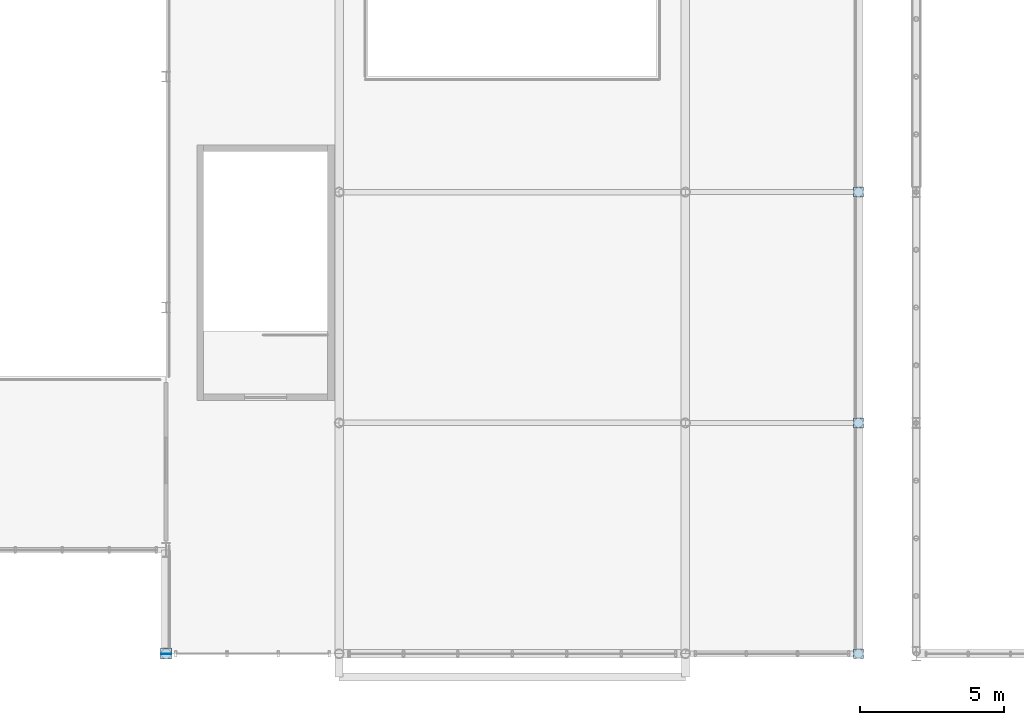
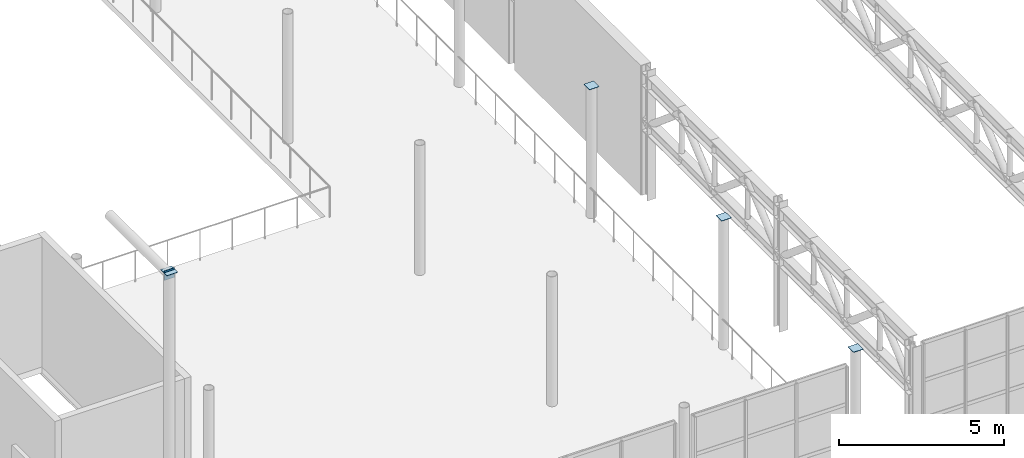
# One storey, part 120 of 143: 5 plates.
"""IFC4 building model written with IfcOpenShell, lengths in metres."""

from ifc_helpers import new_model, si_unit, derived_unit, direction, frame, origin, origin_2d, place, context, subcontext, project, spatial, rectangle, extrude, material, layer, layer_set, type_object, element, save


model = new_model("IFC4")

# Units and contexts
model_context = context("Model", 3, precision=1e-05, world=origin(), true_north=direction((0.0, 1.0)))
body_context = subcontext(model_context, "Body", "Model", "MODEL_VIEW")
ifc_project = project(units=[si_unit("LENGTHUNIT", "METRE"), si_unit("AREAUNIT", "SQUARE_METRE"), si_unit("VOLUMEUNIT", "CUBIC_METRE"), si_unit("PLANEANGLEUNIT", "RADIAN"), si_unit("MASSUNIT", "GRAM", prefix="KILO"), derived_unit("THERMALTRANSMITTANCEUNIT", [(si_unit("POWERUNIT", "WATT"), 1), (si_unit("LENGTHUNIT", "METRE"), -2), (si_unit("THERMODYNAMICTEMPERATUREUNIT", "KELVIN"), -1)])], contexts=[model_context])

# Site, building, storey
site_placement = place(None, origin())
site = spatial("IfcSite", under=ifc_project, at=site_placement, CompositionType="ELEMENT")
building_placement = place(site_placement, origin())
building = spatial("IfcBuilding", under=site, at=building_placement, Name="Keldorne Ridge Multi-Sports Centre", CompositionType="ELEMENT")
storey_placement = place(building_placement, frame((0.0, 0.0, 4.800048828125)))
storey = spatial("IfcBuildingStorey", under=building, at=storey_placement, Name="L01", CompositionType="ELEMENT", Elevation=4.800048828125)

# Plates
ifc_material = material(Name="Steel S355", Category="steel")
ifc_layer = layer(ifc_material, 0.01611328125)
ifc_layer_set = layer_set([ifc_layer], Name="Steel S355")
plate_type = type_object("IfcPlateType", Name="PLT-PL-EC1", PredefinedType="USERDEFINED", material=ifc_layer_set)
for number, where, z_axis, x_axis, name in (
    (1, (102.0, 6.0, 4.7998046875), (0.0, 0.0, 1.0), (1.0, 0.0, 0.0), "Passage column V4-G15-01 top welded closure plate"),
    (2, (102.0, 14.0, 4.7998046875), (0.0, 0.0, 1.0), (1.0, 0.0, 0.0), "Passage column V4-G15-02 top welded closure plate"),
    (3, (102.0, 22.0, 4.7998046875), (0.0, 0.0, 1.0), (1.0, 0.0, 0.0), "Passage column V4-G15-03 top welded closure plate"),
):
    element("IfcPlate", number, at=place(storey_placement, frame(where, z_axis=z_axis, x_axis=x_axis)), inside=storey, type_object=plate_type, Name=name, ObjectType="GUSSET PLATE", PredefinedType="USERDEFINED", context=body_context, shape_type="SweptSolid", body=[
        extrude(rectangle(XDim=0.340087890625, YDim=0.340087890625, at=origin_2d()), origin(), (0.0, 0.0, 1.0), 0.01611328125),
    ])
plate_1_placement = place(storey_placement, frame((78.0, 6.0, 16.0498046875), z_axis=(0.0, 0.0, 1.0), x_axis=(1.0, 0.0, 0.0)))
element("IfcPlate", 4, at=plate_1_placement, inside=storey, type_object=plate_type, Name="Colonnade CHS top cap plate V1-COLN-11", ObjectType="GUSSET PLATE", PredefinedType="USERDEFINED", context=body_context, shape_type="SweptSolid", body=[
    extrude(rectangle(XDim=0.3798828125, YDim=0.3798828125, at=origin_2d()), origin(), (0.0, 0.0, 1.0), 0.01611328125),
])
plate_2_placement = place(storey_placement, frame((78.0, 5.989990234375, 15.77490234375), z_axis=(0.0, 0.0, 1.0), x_axis=(1.0, 0.0, 0.0)))
element("IfcPlate", 5, at=plate_2_placement, inside=storey, type_object=plate_type, Name="Colonnade rafter end cap 11", ObjectType="GUSSET PLATE", PredefinedType="USERDEFINED", context=body_context, shape_type="SweptSolid", body=[
    extrude(rectangle(XDim=0.35009765625, YDim=0.01611328125, at=origin_2d()), origin(), (0.0, 0.0, 1.0), 0.35009765625),
])

save(model, "model.ifc")
